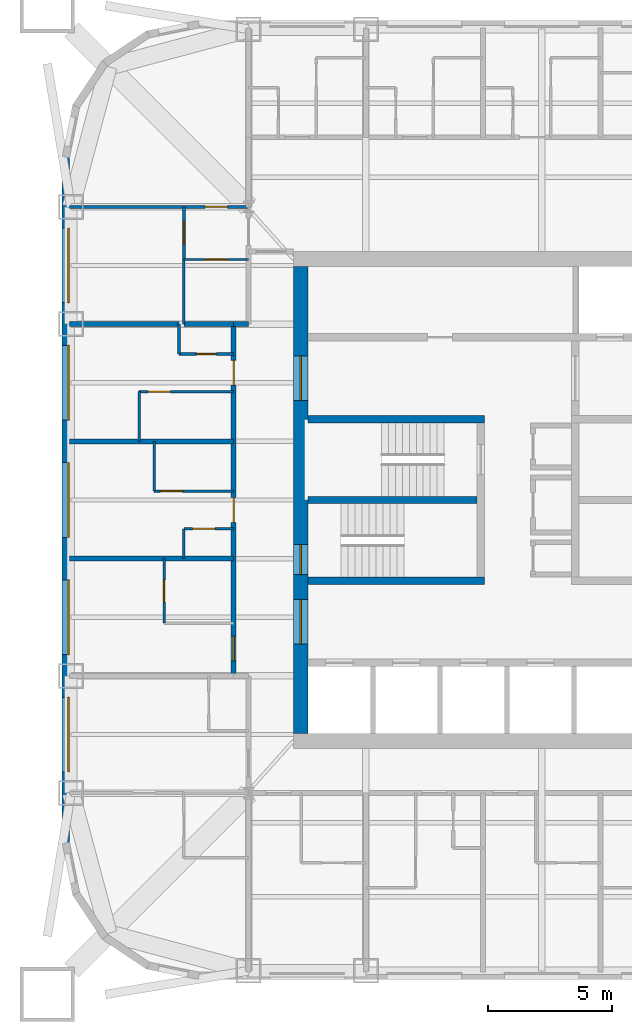
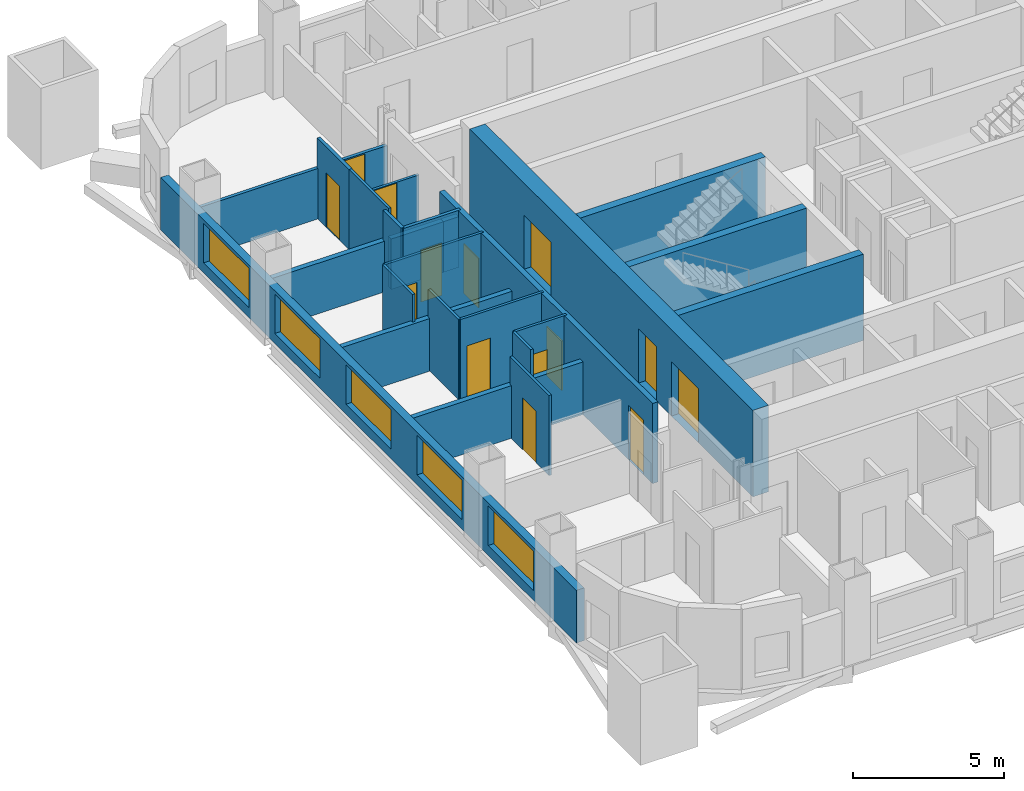
# One storey, part 4 of 9: 24 walls, 14 doors, 5 windows, 19 openings.
"""IFC4 building model written with IfcOpenShell, lengths in metres."""

import ifcopenshell
import ifcopenshell.guid

model = None  # the IFC model being written
_history = None  # IfcOwnerHistory: only IFC2X3 demands one
_inside = {}  # id of a spatial element -> (the spatial element, [elements in it])
_under = {}  # id of a project, library or spatial element -> (it, [spatial elements below it])
_declared = {}  # id of a project -> (the project, [libraries it declares])
_typed = {}  # id of a type object -> (the type object, [elements of that type])
_made_of = {}  # id of a material, layer set ... -> (it, [elements and type objects made of it])


def new_model(schema):
    """Start an empty IFC model of exactly this schema.

    Asked for "IFC4X3", IfcOpenShell would pick the latest addendum, in which some entities
    have other attributes; the version numbers below select the first issue.
    IFC2X3 requires an IfcOwnerHistory on every rooted entity: one is made here for all.
    """
    global model, _history
    if schema == "IFC4X3":
        model = ifcopenshell.file(schema_version=(4, 3, 0, 0))
    else:
        model = ifcopenshell.file(schema=schema)
    _inside.clear()
    _under.clear()
    _declared.clear()
    _typed.clear()
    _made_of.clear()
    _history = None
    if model.schema == "IFC2X3":
        org = make("IfcOrganization", Name="unknown")
        user = make(
            "IfcPersonAndOrganization",
            ThePerson=make("IfcPerson", FamilyName="unknown"),
            TheOrganization=org,
        )
        app = make(
            "IfcApplication",
            ApplicationDeveloper=org,
            Version="unknown",
            ApplicationFullName="unknown",
            ApplicationIdentifier="unknown",
        )
        _history = make(
            "IfcOwnerHistory",
            OwningUser=user,
            OwningApplication=app,
            ChangeAction="ADDED",
            CreationDate=0,
        )
    return model


def make(cls, **values):
    """One entity of the class cls with the attributes given. An attribute that is None is left unset."""
    return model.create_entity(
        cls, **{name: value for name, value in values.items() if value is not None}
    )


def rooted(cls, **values):
    """An entity with a GlobalId (a new one), such as an element, a storey or a relation."""
    return make(cls, GlobalId=ifcopenshell.guid.new(), OwnerHistory=_history, **values)


def si_unit(unit_type, name, prefix=None):
    """IfcSIUnit, for example si_unit("LENGTHUNIT", "METRE", prefix="MILLI")."""
    return make("IfcSIUnit", UnitType=unit_type, Prefix=prefix, Name=name)


def assignment(units):
    """IfcUnitAssignment: the units of a project."""
    return None if units is None else make("IfcUnitAssignment", Units=units)


def point(xyz):
    """IfcCartesianPoint."""
    return None if xyz is None else make("IfcCartesianPoint", Coordinates=xyz)


def direction(xyz):
    """IfcDirection."""
    return None if xyz is None else make("IfcDirection", DirectionRatios=xyz)


def frame(location, z_axis=None, x_axis=None):
    """IfcAxis2Placement3D, a coordinate frame: its origin and axes. An axis left out is left unset."""
    return make(
        "IfcAxis2Placement3D",
        Location=point(location),
        Axis=direction(z_axis),
        RefDirection=direction(x_axis),
    )


def frame_2d(location, x_axis=None):
    """IfcAxis2Placement2D, a coordinate frame in the plane: its origin and x axis."""
    return make(
        "IfcAxis2Placement2D", Location=point(location), RefDirection=direction(x_axis)
    )


def origin():
    """The frame at (0, 0, 0) with its axes left unset."""
    return frame((0.0, 0.0, 0.0))


def place(relative_to, where):
    """IfcLocalPlacement: puts the frame where relative to a parent placement (None: the world)."""
    return make(
        "IfcLocalPlacement", PlacementRelTo=relative_to, RelativePlacement=where
    )


def context(
    kind, dimensions, precision=None, world=None, true_north=None, identifier=None
):
    """IfcGeometricRepresentationContext, for example the 3D "Model" context."""
    return make(
        "IfcGeometricRepresentationContext",
        ContextIdentifier=identifier,
        ContextType=kind,
        CoordinateSpaceDimension=dimensions,
        Precision=precision,
        WorldCoordinateSystem=world,
        TrueNorth=true_north,
    )


def subcontext(parent, identifier, kind, view, scale=None):
    """IfcGeometricRepresentationSubContext, for example "Body" below "Model"."""
    return make(
        "IfcGeometricRepresentationSubContext",
        ContextIdentifier=identifier,
        ContextType=kind,
        ParentContext=parent,
        TargetScale=scale,
        TargetView=view,
    )


def project(units=None, contexts=None):
    """IfcProject with its units and contexts."""
    return rooted(
        "IfcProject",
        Name="project",
        RepresentationContexts=contexts,
        UnitsInContext=assignment(units),
    )


def spatial(cls, under=None, at=None, **own):
    """A site, building, storey or space (cls), placed at a placement, below another one or the project."""
    s = rooted(cls, ObjectPlacement=at, **own)
    if under is not None:
        _under.setdefault(under.id(), (under, []))[1].append(s)
    return s


def profile(cls, at=None, kind="AREA", **sizes):
    """A parametric profile (cls). Its sizes go by their IFC names, for example OverallWidth=200.0."""
    return make(cls, ProfileType=kind, Position=at, **sizes)


def rectangle(**sizes):
    """IfcRectangleProfileDef."""
    return profile("IfcRectangleProfileDef", **sizes)


def extrude(swept, where, along, depth):
    """IfcExtrudedAreaSolid: the profile swept, set in the frame where, extruded along a direction by depth."""
    return make(
        "IfcExtrudedAreaSolid",
        SweptArea=swept,
        Position=where,
        ExtrudedDirection=direction(along),
        Depth=depth,
    )


def shape(context_of_items, identifier, shape_type, items):
    """IfcShapeRepresentation: the items that make up one representation, for example the "Body"."""
    return make(
        "IfcShapeRepresentation",
        ContextOfItems=context_of_items,
        RepresentationIdentifier=identifier,
        RepresentationType=shape_type,
        Items=items,
    )


def material(Name=None, Category=None):
    """IfcMaterial."""
    return make("IfcMaterial", Name=Name, Category=Category)


def layer(
    of_material, thickness, ventilated=None, Name=None, Category=None, Priority=None
):
    """IfcMaterialLayer: one layer of a wall or slab, of a material (None: an air gap)."""
    return make(
        "IfcMaterialLayer",
        Material=of_material,
        LayerThickness=thickness,
        IsVentilated=ventilated,
        Name=Name,
        Category=Category,
        Priority=Priority,
    )


def layer_set(layers, Name=None):
    """IfcMaterialLayerSet."""
    return make("IfcMaterialLayerSet", MaterialLayers=layers, LayerSetName=Name)


def made_of(thing, what):
    """Note that an element or type object is made of a material, layer set ...; save() writes the relation."""
    if what is not None:
        _made_of.setdefault(what.id(), (what, []))[1].append(thing)
    return thing


def type_object(cls, material=None, **own):
    """A type object (cls), such as IfcWallType, which elements share."""
    return made_of(rooted(cls, **own), material)


def element(
    cls,
    number,
    at=None,
    inside=None,
    cuts=None,
    type_object=None,
    material=None,
    context=None,
    identifier="Body",
    shape_type=None,
    held_by="IfcProductDefinitionShape",
    body=None,
    shapes=None,
    **own,
):
    """One element of the class cls, such as IfcWall. Its Tag is "e" and its number.

    at: its placement. inside: the storey or other place that contains it. cuts: it is an
    opening in that element (IfcRelVoidsElement). A single representation is given by context,
    identifier, shape_type and body (its items); several are given by shapes. held_by: the class
    of the entity that holds the representations. save() writes the other relations.
    """
    e = rooted(cls, Tag="e%d" % number, ObjectPlacement=at, **own)
    if body is not None:
        shapes = [shape(context, identifier, shape_type, body)]
    if shapes is not None:
        e.Representation = make(held_by, Representations=shapes)
    if inside is not None:
        _inside.setdefault(inside.id(), (inside, []))[1].append(e)
    if cuts is not None:
        rooted(
            "IfcRelVoidsElement", RelatingBuildingElement=cuts, RelatedOpeningElement=e
        )
    if type_object is not None:
        _typed.setdefault(type_object.id(), (type_object, []))[1].append(e)
    return made_of(e, material)


def fill(opening, filler):
    """IfcRelFillsElement: the door or window that sits in an opening."""
    return rooted(
        "IfcRelFillsElement",
        RelatingOpeningElement=opening,
        RelatedBuildingElement=filler,
    )


def aggregate(whole, parts):
    """IfcRelAggregates: a whole, such as a stair, and the parts it consists of."""
    return rooted("IfcRelAggregates", RelatingObject=whole, RelatedObjects=parts)


def save(model, path):
    """Write the relations noted so far, then the file.

    IfcRelAggregates (storeys below a building ...), IfcRelContainedInSpatialStructure (elements
    in a storey), IfcRelDefinesByType, IfcRelAssociatesMaterial and IfcRelDeclares: one each for
    every whole, place, type object, material and project.
    """
    for whole, parts in _under.values():
        aggregate(whole, parts)
    for where, things in _inside.values():
        rooted(
            "IfcRelContainedInSpatialStructure",
            RelatedElements=things,
            RelatingStructure=where,
        )
    for kind, things in _typed.values():
        rooted("IfcRelDefinesByType", RelatedObjects=things, RelatingType=kind)
    for what, things in _made_of.values():
        rooted("IfcRelAssociatesMaterial", RelatedObjects=things, RelatingMaterial=what)
    for by, libraries in _declared.values():
        rooted("IfcRelDeclares", RelatingContext=by, RelatedDefinitions=libraries)
    model.write(path)


model = new_model("IFC4")

# Units and contexts
model_context = context("Model", 3, precision=1e-05, world=origin(), true_north=direction((0.0, 1.0)))
body_context = subcontext(model_context, "Body", "Model", "MODEL_VIEW")
ifc_project = project(units=[si_unit("LENGTHUNIT", "METRE"), si_unit("AREAUNIT", "SQUARE_METRE"), si_unit("VOLUMEUNIT", "CUBIC_METRE"), si_unit("PLANEANGLEUNIT", "RADIAN"), si_unit("MASSUNIT", "GRAM", prefix="KILO")], contexts=[model_context])

# Site, building, storey
site_placement = place(None, origin())
site = spatial("IfcSite", under=ifc_project, at=site_placement, CompositionType="ELEMENT")
building_placement = place(site_placement, origin())
building = spatial("IfcBuilding", under=site, at=building_placement, Name="Turquesa Mirador Hotel Tower", CompositionType="ELEMENT")
storey_placement = place(building_placement, frame((0.0, 0.0, 217.800048828125)))
storey = spatial("IfcBuildingStorey", under=building, at=storey_placement, Name="L59", CompositionType="ELEMENT", Elevation=217.800048828125)

# Wall, opening, door
ifc_material_1 = material(Name="Gypsum board on steel studs", Category="steel")
ifc_layer_1 = layer(ifc_material_1, 0.10009765625)
ifc_layer_set_1 = layer_set([ifc_layer_1], Name="BATHROOM WALL 100")
wall_type_1 = type_object("IfcWallType", Name="BATHROOM WALL 100", PredefinedType="PARTITIONING", material=ifc_layer_set_1)
wall_1_placement = place(storey_placement, frame((40.60009765625, 43.840087890625, 0.0), z_axis=(0.0, 0.0, 1.0), x_axis=(1.0, 0.0, 0.0)))
wall_1 = element("IfcWall", 1, at=wall_1_placement, inside=storey, type_object=wall_type_1, Name="Partition L59 001", PredefinedType="PARTITIONING", context=body_context, shape_type="SweptSolid", body=[
    extrude(rectangle(XDim=2.0, YDim=0.10009765625, at=frame_2d((1.0, 0.0))), origin(), (0.0, 0.0, 1.0), 3.25),
])
opening_1_placement = place(wall_1_placement, frame((0.35009765625, 0.0, 0.0)))
opening_1 = element("IfcOpeningElement", 2, at=opening_1_placement, cuts=wall_1, Name="Opening D06", PredefinedType="OPENING", context=body_context, shape_type="SweptSolid", body=[
    extrude(rectangle(XDim=0.89990234375, YDim=2.10009765625, at=frame_2d((0.449951171875, 1.050048828125))), frame((0.0, 0.06005859375, 0.0), z_axis=(0.0, -1.0, 0.0), x_axis=(1.0, 0.0, 0.0)), (0.0, 0.0, 1.0), 0.1201171875),
])
ifc_material_2 = material(Name="Laminate door", Category="wood")
door_type_1 = type_object("IfcDoorType", Name="DOOR 900X2100 WC", OperationType="SINGLE_SWING_LEFT", PredefinedType="DOOR", material=ifc_material_2)
door_1_placement = place(opening_1_placement, origin())
door_1 = element("IfcDoor", 3, at=door_1_placement, inside=storey, type_object=door_type_1, Name="Door 5915W", OperationType="SINGLE_SWING_LEFT", OverallHeight=2.10009765625, OverallWidth=0.89990234375, PredefinedType="DOOR", context=body_context, shape_type="SweptSolid", body=[
    extrude(rectangle(XDim=0.89990234375, YDim=2.10009765625, at=frame_2d((0.449951171875, 1.050048828125))), frame((0.0, 0.02490234375, 0.0), z_axis=(0.0, -1.0, 0.0), x_axis=(1.0, 0.0, 0.0)), (0.0, 0.0, 1.0), 0.050048828125),
])
fill(opening_1, door_1)

wall_2_placement = place(storey_placement, frame((39.39990234375, 45.360107421875, 0.0), z_axis=(0.0, 0.0, 1.0), x_axis=(1.0, 0.0, 0.0)))
wall_2 = element("IfcWall", 4, at=wall_2_placement, inside=storey, type_object=wall_type_1, Name="Partition L59 026", PredefinedType="PARTITIONING", context=body_context, shape_type="SweptSolid", body=[
    extrude(rectangle(XDim=3.2001953125, YDim=0.10009765625, at=frame_2d((1.60009765625, 0.0))), origin(), (0.0, 0.0, 1.0), 3.25),
])
opening_2_placement = place(wall_2_placement, frame((0.25, 0.0, 0.0)))
opening_2 = element("IfcOpeningElement", 5, at=opening_2_placement, cuts=wall_2, Name="Opening D02", PredefinedType="OPENING", context=body_context, shape_type="SweptSolid", body=[
    extrude(rectangle(XDim=0.89990234375, YDim=2.10009765625, at=frame_2d((0.449951171875, 1.050048828125))), frame((0.0, 0.06005859375, 0.0), z_axis=(0.0, -1.0, 0.0), x_axis=(1.0, 0.0, 0.0)), (0.0, 0.0, 1.0), 0.1201171875),
])
ifc_material_3 = material(Name="Timber veneered door", Category="wood")
door_type_2 = type_object("IfcDoorType", Name="DOOR 900X2100 EN-SUITE", OperationType="SINGLE_SWING_RIGHT", PredefinedType="DOOR", material=ifc_material_3)
door_2_placement = place(opening_2_placement, origin())
door_2 = element("IfcDoor", 6, at=door_2_placement, inside=storey, type_object=door_type_2, Name="Door 5915B", OperationType="SINGLE_SWING_RIGHT", OverallHeight=2.10009765625, OverallWidth=0.89990234375, PredefinedType="DOOR", context=body_context, shape_type="SweptSolid", body=[
    extrude(rectangle(XDim=0.89990234375, YDim=2.10009765625, at=frame_2d((0.449951171875, 1.050048828125))), frame((0.0, 0.02490234375, 0.0), z_axis=(0.0, -1.0, 0.0), x_axis=(1.0, 0.0, 0.0)), (0.0, 0.0, 1.0), 0.050048828125),
])
fill(opening_2, door_2)

wall_3_placement = place(storey_placement, frame((38.800048828125, 49.360107421875, 0.0), z_axis=(0.0, 0.0, 1.0), x_axis=(1.0, 0.0, 0.0)))
wall_3 = element("IfcWall", 7, at=wall_3_placement, inside=storey, type_object=wall_type_1, Name="Partition L59 044", PredefinedType="PARTITIONING", context=body_context, shape_type="SweptSolid", body=[
    extrude(rectangle(XDim=3.800048828125, YDim=0.10009765625, at=frame_2d((1.89990234375, 0.0))), origin(), (0.0, 0.0, 1.0), 3.25),
])
opening_3_placement = place(wall_3_placement, frame((0.35009765625, 0.0, 0.0)))
opening_3 = element("IfcOpeningElement", 8, at=opening_3_placement, cuts=wall_3, Name="Opening D02", PredefinedType="OPENING", context=body_context, shape_type="SweptSolid", body=[
    extrude(rectangle(XDim=0.89990234375, YDim=2.10009765625, at=frame_2d((0.449951171875, 1.050048828125))), frame((0.0, 0.06005859375, 0.0), z_axis=(0.0, -1.0, 0.0), x_axis=(1.0, 0.0, 0.0)), (0.0, 0.0, 1.0), 0.1201171875),
])
door_3_placement = place(opening_3_placement, origin())
door_3 = element("IfcDoor", 9, at=door_3_placement, inside=storey, type_object=door_type_2, Name="Door 5916B", OperationType="SINGLE_SWING_RIGHT", OverallHeight=2.10009765625, OverallWidth=0.89990234375, PredefinedType="DOOR", context=body_context, shape_type="SweptSolid", body=[
    extrude(rectangle(XDim=0.89990234375, YDim=2.10009765625, at=frame_2d((0.449951171875, 1.050048828125))), frame((0.0, 0.02490234375, 0.0), z_axis=(0.0, -1.0, 0.0), x_axis=(1.0, 0.0, 0.0)), (0.0, 0.0, 1.0), 0.050048828125),
])
fill(opening_3, door_3)

wall_4_placement = place(storey_placement, frame((40.60009765625, 54.679931640625, 0.0), z_axis=(0.0, 0.0, 1.0), x_axis=(1.0, 0.0, 0.0)))
wall_4 = element("IfcWall", 10, at=wall_4_placement, inside=storey, type_object=wall_type_1, Name="Partition L59 051", PredefinedType="PARTITIONING", context=body_context, shape_type="SweptSolid", body=[
    extrude(rectangle(XDim=2.599853515625, YDim=0.10009765625, at=frame_2d((1.2998046875, 0.0))), origin(), (0.0, 0.0, 1.0), 2.13232421875),
])
opening_4_placement = place(wall_4_placement, frame((0.85009765625, 0.0, 0.0)))
opening_4 = element("IfcOpeningElement", 11, at=opening_4_placement, cuts=wall_4, Name="Opening D02", PredefinedType="OPENING", context=body_context, shape_type="SweptSolid", body=[
    extrude(rectangle(XDim=0.89990234375, YDim=2.10009765625, at=frame_2d((0.449951171875, 1.050048828125))), frame((0.0, 0.06005859375, 0.0), z_axis=(0.0, -1.0, 0.0), x_axis=(1.0, 0.0, 0.0)), (0.0, 0.0, 1.0), 0.1201171875),
])
door_4_placement = place(opening_4_placement, origin())
door_4 = element("IfcDoor", 12, at=door_4_placement, inside=storey, type_object=door_type_2, Name="Door 5918B", OperationType="SINGLE_SWING_RIGHT", OverallHeight=2.10009765625, OverallWidth=0.89990234375, PredefinedType="DOOR", context=body_context, shape_type="SweptSolid", body=[
    extrude(rectangle(XDim=0.89990234375, YDim=2.10009765625, at=frame_2d((0.449951171875, 1.050048828125))), frame((0.0, 0.02490234375, 0.0), z_axis=(0.0, -1.0, 0.0), x_axis=(1.0, 0.0, 0.0)), (0.0, 0.0, 1.0), 0.050048828125),
])
fill(opening_4, door_4)

# Walls
wall_5_placement = place(storey_placement, frame((40.60009765625, 42.639892578125, 0.0), z_axis=(0.0, 0.0, 1.0), x_axis=(0.0, 1.0, 0.0)))
element("IfcWall", 13, at=wall_5_placement, inside=storey, type_object=wall_type_1, Name="Partition L59 063", PredefinedType="PARTITIONING", context=body_context, shape_type="SweptSolid", body=[
    extrude(rectangle(XDim=1.2001953125, YDim=0.10009765625, at=frame_2d((0.60009765625, 0.0))), origin(), (0.0, 0.0, 1.0), 3.25),
])
wall_6_placement = place(storey_placement, frame((40.60009765625, 52.080078125, 0.0), z_axis=(0.0, 0.0, 1.0), x_axis=(0.0, 1.0, 0.0)))
element("IfcWall", 14, at=wall_6_placement, inside=storey, type_object=wall_type_1, Name="Partition L59 064", PredefinedType="PARTITIONING", context=body_context, shape_type="SweptSolid", body=[
    extrude(rectangle(XDim=2.599853515625, YDim=0.10009765625, at=frame_2d((1.2998046875, 0.0))), origin(), (0.0, 0.0, 1.0), 3.25),
])

# Wall, opening, door
wall_7_placement = place(storey_placement, frame((39.800048828125, 40.0400390625, 0.0), z_axis=(0.0, 0.0, 1.0), x_axis=(0.0, 1.0, 0.0)))
wall_7 = element("IfcWall", 15, at=wall_7_placement, inside=storey, type_object=wall_type_1, Name="Partition L59 067", PredefinedType="PARTITIONING", context=body_context, shape_type="SweptSolid", body=[
    extrude(rectangle(XDim=2.599853515625, YDim=0.10009765625, at=frame_2d((1.2998046875, 0.0))), origin(), (0.0, 0.0, 1.0), 3.25),
])
opening_5_placement = place(wall_7_placement, frame((0.85009765625, 0.0, 0.0)))
opening_5 = element("IfcOpeningElement", 16, at=opening_5_placement, cuts=wall_7, Name="Opening D02", PredefinedType="OPENING", context=body_context, shape_type="SweptSolid", body=[
    extrude(rectangle(XDim=0.89990234375, YDim=2.10009765625, at=frame_2d((0.449951171875, 1.050048828125))), frame((0.0, 0.06005859375, 0.0), z_axis=(0.0, -1.0, 0.0), x_axis=(1.0, 0.0, 0.0)), (0.0, 0.0, 1.0), 0.1201171875),
])
door_5_placement = place(opening_5_placement, origin())
door_5 = element("IfcDoor", 17, at=door_5_placement, inside=storey, type_object=door_type_2, Name="Door 5914B", OperationType="SINGLE_SWING_RIGHT", OverallHeight=2.10009765625, OverallWidth=0.89990234375, PredefinedType="DOOR", context=body_context, shape_type="SweptSolid", body=[
    extrude(rectangle(XDim=0.89990234375, YDim=2.10009765625, at=frame_2d((0.449951171875, 1.050048828125))), frame((0.0, 0.02490234375, 0.0), z_axis=(0.0, -1.0, 0.0), x_axis=(1.0, 0.0, 0.0)), (0.0, 0.0, 1.0), 0.050048828125),
])
fill(opening_5, door_5)

# Walls
for number, where, z_axis, x_axis, name in (
    (18, (39.39990234375, 45.360107421875, 0.0), (0.0, 0.0, 1.0), (0.0, 1.0, 0.0), "Partition L59 068"),
    (19, (38.800048828125, 47.360107421875, 0.0), (0.0, 0.0, 1.0), (0.0, 1.0, 0.0), "Partition L59 069"),
):
    element("IfcWall", number, at=place(storey_placement, frame(where, z_axis=z_axis, x_axis=x_axis)), inside=storey, type_object=wall_type_1, Name=name, PredefinedType="PARTITIONING", context=body_context, shape_type="SweptSolid", body=[
        extrude(rectangle(XDim=2.0, YDim=0.10009765625, at=frame_2d((1.0, 0.0))), origin(), (0.0, 0.0, 1.0), 3.25),
    ])
ifc_material_4 = material(Name="Concrete C50/60", Category="concrete")
ifc_layer_2 = layer(ifc_material_4, 0.300048828125)
ifc_layer_set_2 = layer_set([ifc_layer_2], Name="CORE INNER WALL 300")
wall_type_2 = type_object("IfcWallType", Name="CORE INNER WALL 300", PredefinedType="SHEAR", material=ifc_layer_set_2)
for number, where, z_axis, x_axis, name in (
    (20, (45.60009765625, 48.25, 0.0), (0.0, 0.0, 1.0), (1.0, 0.0, 0.0), "Core wall MN-W"),
    (21, (45.60009765625, 41.75, 0.0), (0.0, 0.0, 1.0), (1.0, 0.0, 0.0), "Core wall MS-W"),
):
    element("IfcWall", number, at=place(storey_placement, frame(where, z_axis=z_axis, x_axis=x_axis)), inside=storey, type_object=wall_type_2, Name=name, PredefinedType="SHEAR", context=body_context, shape_type="SweptSolid", body=[
        extrude(rectangle(XDim=7.099853515625, YDim=0.300048828125, at=frame_2d((3.5498046875, 0.0))), origin(), (0.0, 0.0, 1.0), 3.5),
    ])
wall_8_placement = place(storey_placement, frame((45.60009765625, 45.0, 0.0), z_axis=(0.0, 0.0, 1.0), x_axis=(1.0, 0.0, 0.0)))
element("IfcWall", 22, at=wall_8_placement, inside=storey, type_object=wall_type_2, Name="Core wall M0-W", PredefinedType="SHEAR", context=body_context, shape_type="SweptSolid", body=[
    extrude(rectangle(XDim=6.7998046875, YDim=0.300048828125, at=frame_2d((3.39990234375, 0.0))), origin(), (0.0, 0.0, 1.0), 3.5),
])

# Wall, openings, doors
ifc_material_5 = material(Name="Concrete C50/60", Category="concrete")
ifc_layer_3 = layer(ifc_material_5, 0.60009765625)
ifc_layer_set_3 = layer_set([ifc_layer_3], Name="CORE WALL 600")
wall_type_3 = type_object("IfcWallType", Name="CORE WALL 600", PredefinedType="SHEAR", material=ifc_layer_set_3)
wall_9_placement = place(storey_placement, frame((45.300048828125, 35.60009765625, 0.0), z_axis=(0.0, 0.0, 1.0), x_axis=(0.0, 1.0, 0.0)))
wall_9 = element("IfcWall", 23, at=wall_9_placement, inside=storey, type_object=wall_type_3, Name="Core wall W", PredefinedType="SHEAR", context=body_context, shape_type="SweptSolid", body=[
    extrude(rectangle(XDim=18.7998046875, YDim=0.60009765625, at=frame_2d((9.39990234375, 0.0))), origin(), (0.0, 0.0, 1.0), 3.5),
])
opening_6_placement = place(wall_9_placement, frame((13.39990234375, 0.0, 0.0)))
opening_6 = element("IfcOpeningElement", 24, at=opening_6_placement, cuts=wall_9, Name="Opening D04", PredefinedType="OPENING", context=body_context, shape_type="SweptSolid", body=[
    extrude(rectangle(XDim=1.800048828125, YDim=2.199951171875, at=frame_2d((0.89990234375, 1.10009765625))), frame((0.0, 0.31005859375, 0.0), z_axis=(0.0, -1.0, 0.0), x_axis=(1.0, 0.0, 0.0)), (0.0, 0.0, 1.0), 0.6201171875),
])
opening_7_placement = place(wall_9_placement, frame((3.60009765625, 0.0, 0.0)))
opening_7 = element("IfcOpeningElement", 25, at=opening_7_placement, cuts=wall_9, Name="Opening D04", PredefinedType="OPENING", context=body_context, shape_type="SweptSolid", body=[
    extrude(rectangle(XDim=1.800048828125, YDim=2.199951171875, at=frame_2d((0.89990234375, 1.10009765625))), frame((0.0, 0.31005859375, 0.0), z_axis=(0.0, -1.0, 0.0), x_axis=(1.0, 0.0, 0.0)), (0.0, 0.0, 1.0), 0.6201171875),
])
opening_8_placement = place(wall_9_placement, frame((6.39990234375, 0.0, 0.0)))
opening_8 = element("IfcOpeningElement", 26, at=opening_8_placement, cuts=wall_9, Name="Opening D03", PredefinedType="OPENING", context=body_context, shape_type="SweptSolid", body=[
    extrude(rectangle(XDim=1.199951171875, YDim=2.199951171875, at=frame_2d((0.60009765625, 1.10009765625))), frame((0.0, 0.31005859375, 0.0), z_axis=(0.0, -1.0, 0.0), x_axis=(1.0, 0.0, 0.0)), (0.0, 0.0, 1.0), 0.6201171875),
])
ifc_material_6 = material(Name="Steel fire door", Category="steel")
door_type_3 = type_object("IfcDoorType", Name="DOOR 1200X2200 STAIR", OperationType="SINGLE_SWING_LEFT", PredefinedType="DOOR", material=ifc_material_6)
door_6_placement = place(opening_8_placement, origin())
door_6 = element("IfcDoor", 27, at=door_6_placement, inside=storey, type_object=door_type_3, Name="Stair ST2 door", OperationType="SINGLE_SWING_LEFT", OverallHeight=2.199951171875, OverallWidth=1.199951171875, PredefinedType="DOOR", context=body_context, shape_type="SweptSolid", body=[
    extrude(rectangle(XDim=1.199951171875, YDim=2.199951171875, at=frame_2d((0.60009765625, 1.10009765625))), frame((0.0, 0.02490234375, 0.0), z_axis=(0.0, -1.0, 0.0), x_axis=(1.0, 0.0, 0.0)), (0.0, 0.0, 1.0), 0.050048828125),
])
fill(opening_8, door_6)
ifc_material_7 = material(Name="Steel fire door pair", Category="steel")
door_type_4 = type_object("IfcDoorType", Name="DOOR 1800X2200 PAIR", OperationType="DOUBLE_DOOR_SINGLE_SWING", PredefinedType="DOOR", material=ifc_material_7)
door_7_placement = place(opening_6_placement, origin())
door_7 = element("IfcDoor", 28, at=door_7_placement, inside=storey, type_object=door_type_4, Name="North lift lobby door", OperationType="DOUBLE_DOOR_SINGLE_SWING", OverallHeight=2.199951171875, OverallWidth=1.800048828125, PredefinedType="DOOR", context=body_context, shape_type="SweptSolid", body=[
    extrude(rectangle(XDim=1.800048828125, YDim=2.199951171875, at=frame_2d((0.89990234375, 1.10009765625))), frame((0.0, 0.02490234375, 0.0), z_axis=(0.0, -1.0, 0.0), x_axis=(1.0, 0.0, 0.0)), (0.0, 0.0, 1.0), 0.050048828125),
])
fill(opening_6, door_7)
door_8_placement = place(opening_7_placement, origin())
door_8 = element("IfcDoor", 29, at=door_8_placement, inside=storey, type_object=door_type_4, Name="South lift lobby door", OperationType="DOUBLE_DOOR_SINGLE_SWING", OverallHeight=2.199951171875, OverallWidth=1.800048828125, PredefinedType="DOOR", context=body_context, shape_type="SweptSolid", body=[
    extrude(rectangle(XDim=1.800048828125, YDim=2.199951171875, at=frame_2d((0.89990234375, 1.10009765625))), frame((0.0, 0.02490234375, 0.0), z_axis=(0.0, -1.0, 0.0), x_axis=(1.0, 0.0, 0.0)), (0.0, 0.0, 1.0), 0.050048828125),
])
fill(opening_7, door_8)

# Wall
ifc_material_8 = material(Name="Fire-rated gypsum board on steel studs", Category="steel")
ifc_layer_4 = layer(ifc_material_8, 0.199951171875)
ifc_layer_set_4 = layer_set([ifc_layer_4], Name="CORRIDOR WALL 200")
wall_type_4 = type_object("IfcWallType", Name="CORRIDOR WALL 200", PredefinedType="PARTITIONING", material=ifc_layer_set_4)
wall_10_placement = place(storey_placement, frame((42.60009765625, 52.080078125, 0.0), z_axis=(0.0, 0.0, 1.0), x_axis=(1.0, 0.0, 0.0)))
element("IfcWall", 30, at=wall_10_placement, inside=storey, type_object=wall_type_4, Name="Partition L59 047", PredefinedType="PARTITIONING", context=body_context, shape_type="SweptSolid", body=[
    extrude(rectangle(XDim=0.599853515625, YDim=0.199951171875, at=frame_2d((0.2998046875, 0.0))), origin(), (0.0, 0.0, 1.0), 2.050048828125),
])

# Wall, openings, doors
wall_11_placement = place(storey_placement, frame((42.60009765625, 37.919921875, 0.0), z_axis=(0.0, 0.0, 1.0), x_axis=(0.0, 1.0, 0.0)))
wall_11 = element("IfcWall", 31, at=wall_11_placement, inside=storey, type_object=wall_type_4, Name="Partition L59 060", PredefinedType="PARTITIONING", context=body_context, shape_type="SweptSolid", body=[
    extrude(rectangle(XDim=14.16015625, YDim=0.199951171875, at=frame_2d((7.080078125, 0.0))), origin(), (0.0, 0.0, 1.0), 3.25),
])
opening_9_placement = place(wall_11_placement, frame((0.60009765625, 0.0, 0.0)))
opening_9 = element("IfcOpeningElement", 32, at=opening_9_placement, cuts=wall_11, Name="Opening D01", PredefinedType="OPENING", context=body_context, shape_type="SweptSolid", body=[
    extrude(rectangle(XDim=1.0, YDim=2.199951171875, at=frame_2d((0.5, 1.10009765625))), frame((0.0, 0.10986328125, 0.0), z_axis=(0.0, -1.0, 0.0), x_axis=(1.0, 0.0, 0.0)), (0.0, 0.0, 1.0), 0.219970703125),
])
opening_10_placement = place(wall_11_placement, frame((6.179931640625, 0.0, 0.0)))
opening_10 = element("IfcOpeningElement", 33, at=opening_10_placement, cuts=wall_11, Name="Opening D22", PredefinedType="OPENING", context=body_context, shape_type="SweptSolid", body=[
    extrude(rectangle(XDim=1.0, YDim=2.0, at=frame_2d((0.5, 1.0))), frame((0.0, 0.10986328125, 0.0), z_axis=(0.0, -1.0, 0.0), x_axis=(1.0, 0.0, 0.0)), (0.0, 0.0, 1.0), 0.219970703125),
])
opening_11_placement = place(wall_11_placement, frame((11.699951171875, 0.0, 0.0)))
opening_11 = element("IfcOpeningElement", 34, at=opening_11_placement, cuts=wall_11, Name="Opening D22", PredefinedType="OPENING", context=body_context, shape_type="SweptSolid", body=[
    extrude(rectangle(XDim=1.0, YDim=2.0, at=frame_2d((0.5, 1.0))), frame((0.0, 0.10986328125, 0.0), z_axis=(0.0, -1.0, 0.0), x_axis=(1.0, 0.0, 0.0)), (0.0, 0.0, 1.0), 0.219970703125),
])
ifc_material_9 = material(Name="Timber veneered fire door", Category="wood")
door_type_5 = type_object("IfcDoorType", Name="DOOR 1000X2000 GUEST ENTRY", OperationType="SINGLE_SWING_LEFT", PredefinedType="DOOR", material=ifc_material_9)
door_9_placement = place(opening_10_placement, origin())
door_9 = element("IfcDoor", 35, at=door_9_placement, inside=storey, type_object=door_type_5, Name="Door 5915", OperationType="SINGLE_SWING_LEFT", OverallHeight=2.0, OverallWidth=1.0, PredefinedType="DOOR", context=body_context, shape_type="SweptSolid", body=[
    extrude(rectangle(XDim=1.0, YDim=2.0, at=frame_2d((0.5, 1.0))), frame((0.0, 0.02490234375, 0.0), z_axis=(0.0, -1.0, 0.0), x_axis=(1.0, 0.0, 0.0)), (0.0, 0.0, 1.0), 0.050048828125),
])
fill(opening_10, door_9)
door_10_placement = place(opening_11_placement, origin())
door_10 = element("IfcDoor", 36, at=door_10_placement, inside=storey, type_object=door_type_5, Name="Door 5916", OperationType="SINGLE_SWING_LEFT", OverallHeight=2.0, OverallWidth=1.0, PredefinedType="DOOR", context=body_context, shape_type="SweptSolid", body=[
    extrude(rectangle(XDim=1.0, YDim=2.0, at=frame_2d((0.5, 1.0))), frame((0.0, 0.02490234375, 0.0), z_axis=(0.0, -1.0, 0.0), x_axis=(1.0, 0.0, 0.0)), (0.0, 0.0, 1.0), 0.050048828125),
])
fill(opening_11, door_10)
ifc_material_10 = material(Name="Timber veneered fire door", Category="wood")
door_type_6 = type_object("IfcDoorType", Name="DOOR 1000X2200 GUEST ENTRY", OperationType="SINGLE_SWING_LEFT", PredefinedType="DOOR", material=ifc_material_10)
door_11_placement = place(opening_9_placement, origin())
door_11 = element("IfcDoor", 37, at=door_11_placement, inside=storey, type_object=door_type_6, Name="Door 5914", OperationType="SINGLE_SWING_LEFT", OverallHeight=2.199951171875, OverallWidth=1.0, PredefinedType="DOOR", context=body_context, shape_type="SweptSolid", body=[
    extrude(rectangle(XDim=1.0, YDim=2.199951171875, at=frame_2d((0.5, 1.10009765625))), frame((0.0, 0.02490234375, 0.0), z_axis=(0.0, -1.0, 0.0), x_axis=(1.0, 0.0, 0.0)), (0.0, 0.0, 1.0), 0.050048828125),
])
fill(opening_9, door_11)

# Wall, openings, windows
ifc_material_11 = material(Name="Limestone cladding on concrete block", Category="masonry")
ifc_layer_5 = layer(ifc_material_11, 0.300048828125)
ifc_layer_set_5 = layer_set([ifc_layer_5], Name="FACADE WALL 300 STONE SCREEN")
wall_type_5 = type_object("IfcWallType", Name="FACADE WALL 300 STONE SCREEN", PredefinedType="SOLIDWALL", material=ifc_layer_set_5)
wall_12_placement = place(storey_placement, frame((35.85009765625, 58.800048828125, 0.0), z_axis=(0.0, 0.0, 1.0), x_axis=(0.0, -1.0, 0.0)))
wall_12 = element("IfcWall", 38, at=wall_12_placement, inside=storey, type_object=wall_type_5, Name="Facade wall L59 14", PredefinedType="SOLIDWALL", context=body_context, shape_type="SweptSolid", body=[
    extrude(rectangle(XDim=27.60009765625, YDim=0.300048828125, at=frame_2d((13.800048828125, 0.0))), origin(), (0.0, 0.0, 1.0), 2.13232421875),
])
opening_12_placement = place(wall_12_placement, frame((2.860107421875, 0.0, 0.39990234375)))
opening_12 = element("IfcOpeningElement", 39, at=opening_12_placement, cuts=wall_12, Name="Opening WN7", PredefinedType="OPENING", context=body_context, shape_type="SweptSolid", body=[
    extrude(rectangle(XDim=3.0, YDim=1.60009765625, at=frame_2d((1.5, 0.800048828125))), frame((0.0, 0.159912109375, 0.0), z_axis=(0.0, -1.0, 0.0), x_axis=(1.0, 0.0, 0.0)), (0.0, 0.0, 1.0), 0.320068359375),
])
opening_13_placement = place(wall_12_placement, frame((7.580078125, 0.0, 0.39990234375)))
opening_13 = element("IfcOpeningElement", 40, at=opening_13_placement, cuts=wall_12, Name="Opening WN7", PredefinedType="OPENING", context=body_context, shape_type="SweptSolid", body=[
    extrude(rectangle(XDim=3.0, YDim=1.60009765625, at=frame_2d((1.5, 0.800048828125))), frame((0.0, 0.159912109375, 0.0), z_axis=(0.0, -1.0, 0.0), x_axis=(1.0, 0.0, 0.0)), (0.0, 0.0, 1.0), 0.320068359375),
])
opening_14_placement = place(wall_12_placement, frame((12.300048828125, 0.0, 0.39990234375)))
opening_14 = element("IfcOpeningElement", 41, at=opening_14_placement, cuts=wall_12, Name="Opening WN7", PredefinedType="OPENING", context=body_context, shape_type="SweptSolid", body=[
    extrude(rectangle(XDim=3.0, YDim=1.60009765625, at=frame_2d((1.5, 0.800048828125))), frame((0.0, 0.159912109375, 0.0), z_axis=(0.0, -1.0, 0.0), x_axis=(1.0, 0.0, 0.0)), (0.0, 0.0, 1.0), 0.320068359375),
])
opening_15_placement = place(wall_12_placement, frame((17.02001953125, 0.0, 0.39990234375)))
opening_15 = element("IfcOpeningElement", 42, at=opening_15_placement, cuts=wall_12, Name="Opening WN7", PredefinedType="OPENING", context=body_context, shape_type="SweptSolid", body=[
    extrude(rectangle(XDim=3.0, YDim=1.60009765625, at=frame_2d((1.5, 0.800048828125))), frame((0.0, 0.159912109375, 0.0), z_axis=(0.0, -1.0, 0.0), x_axis=(1.0, 0.0, 0.0)), (0.0, 0.0, 1.0), 0.320068359375),
])
opening_16_placement = place(wall_12_placement, frame((21.739990234375, 0.0, 0.39990234375)))
opening_16 = element("IfcOpeningElement", 43, at=opening_16_placement, cuts=wall_12, Name="Opening WN7", PredefinedType="OPENING", context=body_context, shape_type="SweptSolid", body=[
    extrude(rectangle(XDim=3.0, YDim=1.60009765625, at=frame_2d((1.5, 0.800048828125))), frame((0.0, 0.159912109375, 0.0), z_axis=(0.0, -1.0, 0.0), x_axis=(1.0, 0.0, 0.0)), (0.0, 0.0, 1.0), 0.320068359375),
])
ifc_material_12 = material(Name="Ceramic-fritted laminated glass", Category="glass")
window_type = type_object("IfcWindowType", Name="FRITTED WINDOW 3000X1600", PartitioningType="DOUBLE_PANEL_HORIZONTAL", PredefinedType="WINDOW", material=ifc_material_12)
window_1_placement = place(opening_12_placement, origin())
window_1 = element("IfcWindow", 44, at=window_1_placement, inside=storey, type_object=window_type, Name="Window L59", OverallHeight=1.60009765625, OverallWidth=3.0, PartitioningType="SINGLE_PANEL", PredefinedType="WINDOW", context=body_context, shape_type="SweptSolid", body=[
    extrude(rectangle(XDim=3.0, YDim=1.60009765625, at=frame_2d((1.5, 0.800048828125))), frame((0.0, 0.130126953125, 0.0), z_axis=(0.0, -1.0, 0.0), x_axis=(1.0, 0.0, 0.0)), (0.0, 0.0, 1.0), 0.06005859375),
])
fill(opening_12, window_1)
window_2_placement = place(opening_13_placement, origin())
window_2 = element("IfcWindow", 45, at=window_2_placement, inside=storey, type_object=window_type, Name="Window L59", OverallHeight=1.60009765625, OverallWidth=3.0, PartitioningType="SINGLE_PANEL", PredefinedType="WINDOW", context=body_context, shape_type="SweptSolid", body=[
    extrude(rectangle(XDim=3.0, YDim=1.60009765625, at=frame_2d((1.5, 0.800048828125))), frame((0.0, 0.130126953125, 0.0), z_axis=(0.0, -1.0, 0.0), x_axis=(1.0, 0.0, 0.0)), (0.0, 0.0, 1.0), 0.06005859375),
])
fill(opening_13, window_2)
window_3_placement = place(opening_14_placement, origin())
window_3 = element("IfcWindow", 46, at=window_3_placement, inside=storey, type_object=window_type, Name="Window L59", OverallHeight=1.60009765625, OverallWidth=3.0, PartitioningType="SINGLE_PANEL", PredefinedType="WINDOW", context=body_context, shape_type="SweptSolid", body=[
    extrude(rectangle(XDim=3.0, YDim=1.60009765625, at=frame_2d((1.5, 0.800048828125))), frame((0.0, 0.130126953125, 0.0), z_axis=(0.0, -1.0, 0.0), x_axis=(1.0, 0.0, 0.0)), (0.0, 0.0, 1.0), 0.06005859375),
])
fill(opening_14, window_3)
window_4_placement = place(opening_15_placement, origin())
window_4 = element("IfcWindow", 47, at=window_4_placement, inside=storey, type_object=window_type, Name="Window L59", OverallHeight=1.60009765625, OverallWidth=3.0, PartitioningType="SINGLE_PANEL", PredefinedType="WINDOW", context=body_context, shape_type="SweptSolid", body=[
    extrude(rectangle(XDim=3.0, YDim=1.60009765625, at=frame_2d((1.5, 0.800048828125))), frame((0.0, 0.130126953125, 0.0), z_axis=(0.0, -1.0, 0.0), x_axis=(1.0, 0.0, 0.0)), (0.0, 0.0, 1.0), 0.06005859375),
])
fill(opening_15, window_4)
window_5_placement = place(opening_16_placement, origin())
window_5 = element("IfcWindow", 48, at=window_5_placement, inside=storey, type_object=window_type, Name="Window L59", OverallHeight=1.60009765625, OverallWidth=3.0, PartitioningType="SINGLE_PANEL", PredefinedType="WINDOW", context=body_context, shape_type="SweptSolid", body=[
    extrude(rectangle(XDim=3.0, YDim=1.60009765625, at=frame_2d((1.5, 0.800048828125))), frame((0.0, 0.130126953125, 0.0), z_axis=(0.0, -1.0, 0.0), x_axis=(1.0, 0.0, 0.0)), (0.0, 0.0, 1.0), 0.06005859375),
])
fill(opening_16, window_5)

# Walls
ifc_material_13 = material(Name="Fire-rated gypsum board on steel studs", Category="steel")
ifc_layer_6 = layer(ifc_material_13, 0.199951171875)
ifc_layer_set_6 = layer_set([ifc_layer_6], Name="PARTY WALL 200")
wall_type_6 = type_object("IfcWallType", Name="PARTY WALL 200", PredefinedType="PARTITIONING", material=ifc_layer_set_6)
for number, where, z_axis, x_axis, name in (
    (49, (36.0, 42.639892578125, 0.0), (0.0, 0.0, 1.0), (1.0, 0.0, 0.0), "Partition L59 017"),
    (50, (36.0, 47.360107421875, 0.0), (0.0, 0.0, 1.0), (1.0, 0.0, 0.0), "Partition L59 041"),
):
    element("IfcWall", number, at=place(storey_placement, frame(where, z_axis=z_axis, x_axis=x_axis)), inside=storey, type_object=wall_type_6, Name=name, PredefinedType="PARTITIONING", context=body_context, shape_type="SweptSolid", body=[
        extrude(rectangle(XDim=6.60009765625, YDim=0.199951171875, at=frame_2d((3.300048828125, 0.0))), origin(), (0.0, 0.0, 1.0), 2.13232421875),
    ])
wall_13_placement = place(storey_placement, frame((36.0, 52.080078125, 0.0), z_axis=(0.0, 0.0, 1.0), x_axis=(1.0, 0.0, 0.0)))
element("IfcWall", 51, at=wall_13_placement, inside=storey, type_object=wall_type_6, Name="Partition L59 048", PredefinedType="PARTITIONING", context=body_context, shape_type="SweptSolid", body=[
    extrude(rectangle(XDim=4.39990234375, YDim=0.199951171875, at=frame_2d((2.199951171875, 0.0))), origin(), (0.0, 0.0, 1.0), 2.050048828125),
])
wall_14_placement = place(storey_placement, frame((40.60009765625, 52.080078125, 0.0), z_axis=(0.0, 0.0, 1.0), x_axis=(1.0, 0.0, 0.0)))
element("IfcWall", 52, at=wall_14_placement, inside=storey, type_object=wall_type_6, Name="Partition L59 049", PredefinedType="PARTITIONING", context=body_context, shape_type="SweptSolid", body=[
    extrude(rectangle(XDim=2.0, YDim=0.199951171875, at=frame_2d((1.0, 0.0))), origin(), (0.0, 0.0, 1.0), 2.050048828125),
])

# Wall, opening, door
ifc_material_14 = material(Name="Acoustic gypsum board on steel studs", Category="steel")
ifc_layer_7 = layer(ifc_material_14, 0.125)
ifc_layer_set_7 = layer_set([ifc_layer_7], Name="SUITE PARTITION 125")
wall_type_7 = type_object("IfcWallType", Name="SUITE PARTITION 125", PredefinedType="PARTITIONING", material=ifc_layer_set_7)
wall_15_placement = place(storey_placement, frame((36.0, 56.800048828125, 0.0), z_axis=(0.0, 0.0, 1.0), x_axis=(1.0, 0.0, 0.0)))
wall_15 = element("IfcWall", 53, at=wall_15_placement, inside=storey, type_object=wall_type_7, Name="Partition L59 030", PredefinedType="PARTITIONING", context=body_context, shape_type="SweptSolid", body=[
    extrude(rectangle(XDim=7.199951171875, YDim=0.125, at=frame_2d((3.60009765625, 0.0))), origin(), (0.0, 0.0, 1.0), 2.050048828125),
])
opening_17_placement = place(wall_15_placement, frame((5.449951171875, 0.0, 0.0)))
opening_17 = element("IfcOpeningElement", 54, at=opening_17_placement, cuts=wall_15, Name="Opening D24", PredefinedType="OPENING", context=body_context, shape_type="SweptSolid", body=[
    extrude(rectangle(XDim=0.89990234375, YDim=2.0, at=frame_2d((0.449951171875, 1.0))), frame((0.0, 0.072509765625, 0.0), z_axis=(0.0, -1.0, 0.0), x_axis=(1.0, 0.0, 0.0)), (0.0, 0.0, 1.0), 0.14501953125),
])
ifc_material_15 = material(Name="Timber veneered door", Category="wood")
door_type_7 = type_object("IfcDoorType", Name="DOOR 900X2000 SUITE INTERNAL", OperationType="SINGLE_SWING_LEFT", PredefinedType="DOOR", material=ifc_material_15)
door_12_placement = place(opening_17_placement, origin())
door_12 = element("IfcDoor", 55, at=door_12_placement, inside=storey, type_object=door_type_7, Name="Door 5918", OperationType="SINGLE_SWING_LEFT", OverallHeight=2.0, OverallWidth=0.89990234375, PredefinedType="DOOR", context=body_context, shape_type="SweptSolid", body=[
    extrude(rectangle(XDim=0.89990234375, YDim=2.0, at=frame_2d((0.449951171875, 1.0))), frame((0.0, 0.02490234375, 0.0), z_axis=(0.0, -1.0, 0.0), x_axis=(1.0, 0.0, 0.0)), (0.0, 0.0, 1.0), 0.050048828125),
])
fill(opening_17, door_12)

wall_16_placement = place(storey_placement, frame((40.39990234375, 50.8798828125, 0.0), z_axis=(0.0, 0.0, 1.0), x_axis=(1.0, 0.0, 0.0)))
wall_16 = element("IfcWall", 56, at=wall_16_placement, inside=storey, type_object=wall_type_7, Name="Partition L59 046", PredefinedType="PARTITIONING", context=body_context, shape_type="SweptSolid", body=[
    extrude(rectangle(XDim=2.2001953125, YDim=0.125, at=frame_2d((1.10009765625, 0.0))), origin(), (0.0, 0.0, 1.0), 3.25),
])
opening_18_placement = place(wall_16_placement, frame((0.699951171875, 0.0, 0.0)))
opening_18 = element("IfcOpeningElement", 57, at=opening_18_placement, cuts=wall_16, Name="Opening D20", PredefinedType="OPENING", context=body_context, shape_type="SweptSolid", body=[
    extrude(rectangle(XDim=0.800048828125, YDim=2.10009765625, at=frame_2d((0.39990234375, 1.050048828125))), frame((0.0, 0.072509765625, 0.0), z_axis=(0.0, -1.0, 0.0), x_axis=(1.0, 0.0, 0.0)), (0.0, 0.0, 1.0), 0.14501953125),
])
ifc_material_16 = material(Name="Timber veneered sliding door", Category="wood")
door_type_8 = type_object("IfcDoorType", Name="DOOR 800X2100 WARDROBE", OperationType="SLIDING_TO_LEFT", PredefinedType="DOOR", material=ifc_material_16)
door_13_placement = place(opening_18_placement, origin())
door_13 = element("IfcDoor", 58, at=door_13_placement, inside=storey, type_object=door_type_8, Name="Door 5916W", OperationType="SLIDING_TO_LEFT", OverallHeight=2.10009765625, OverallWidth=0.800048828125, PredefinedType="DOOR", context=body_context, shape_type="SweptSolid", body=[
    extrude(rectangle(XDim=0.800048828125, YDim=2.10009765625, at=frame_2d((0.39990234375, 1.050048828125))), frame((0.0, 0.02490234375, 0.0), z_axis=(0.0, -1.0, 0.0), x_axis=(1.0, 0.0, 0.0)), (0.0, 0.0, 1.0), 0.050048828125),
])
fill(opening_18, door_13)

wall_17_placement = place(storey_placement, frame((40.60009765625, 54.679931640625, 0.0), z_axis=(0.0, 0.0, 1.0), x_axis=(0.0, 1.0, 0.0)))
wall_17 = element("IfcWall", 59, at=wall_17_placement, inside=storey, type_object=wall_type_7, Name="Partition L59 065", PredefinedType="PARTITIONING", context=body_context, shape_type="SweptSolid", body=[
    extrude(rectangle(XDim=2.1201171875, YDim=0.125, at=frame_2d((1.06005859375, 0.0))), origin(), (0.0, 0.0, 1.0), 3.25),
])
opening_19_placement = place(wall_17_placement, frame((0.610107421875, 0.0, 0.0)))
opening_19 = element("IfcOpeningElement", 60, at=opening_19_placement, cuts=wall_17, Name="Opening D17", PredefinedType="OPENING", context=body_context, shape_type="SweptSolid", body=[
    extrude(rectangle(XDim=0.89990234375, YDim=2.199951171875, at=frame_2d((0.449951171875, 1.10009765625))), frame((0.0, 0.072509765625, 0.0), z_axis=(0.0, -1.0, 0.0), x_axis=(1.0, 0.0, 0.0)), (0.0, 0.0, 1.0), 0.14501953125),
])
ifc_material_17 = material(Name="Timber veneered door", Category="wood")
door_type_9 = type_object("IfcDoorType", Name="DOOR 900X2200 SUITE INTERNAL", OperationType="SINGLE_SWING_LEFT", PredefinedType="DOOR", material=ifc_material_17)
door_14_placement = place(opening_19_placement, origin())
door_14 = element("IfcDoor", 61, at=door_14_placement, inside=storey, type_object=door_type_9, Name="Door 5918R", OperationType="SINGLE_SWING_LEFT", OverallHeight=2.199951171875, OverallWidth=0.89990234375, PredefinedType="DOOR", context=body_context, shape_type="SweptSolid", body=[
    extrude(rectangle(XDim=0.89990234375, YDim=2.199951171875, at=frame_2d((0.449951171875, 1.10009765625))), frame((0.0, 0.02490234375, 0.0), z_axis=(0.0, -1.0, 0.0), x_axis=(1.0, 0.0, 0.0)), (0.0, 0.0, 1.0), 0.050048828125),
])
fill(opening_19, door_14)

# Wall
wall_18_placement = place(storey_placement, frame((40.39990234375, 50.8798828125, 0.0), z_axis=(0.0, 0.0, 1.0), x_axis=(0.0, 1.0, 0.0)))
element("IfcWall", 62, at=wall_18_placement, inside=storey, type_object=wall_type_7, Name="Partition L59 066", PredefinedType="PARTITIONING", context=body_context, shape_type="SweptSolid", body=[
    extrude(rectangle(XDim=1.2001953125, YDim=0.125, at=frame_2d((0.60009765625, 0.0))), origin(), (0.0, 0.0, 1.0), 3.25),
])

save(model, "model.ifc")
